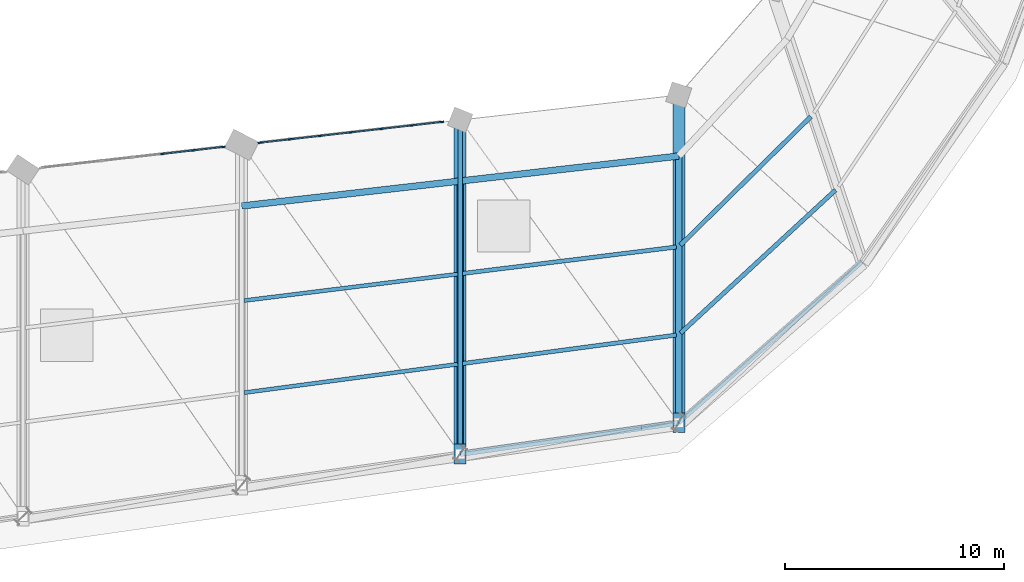
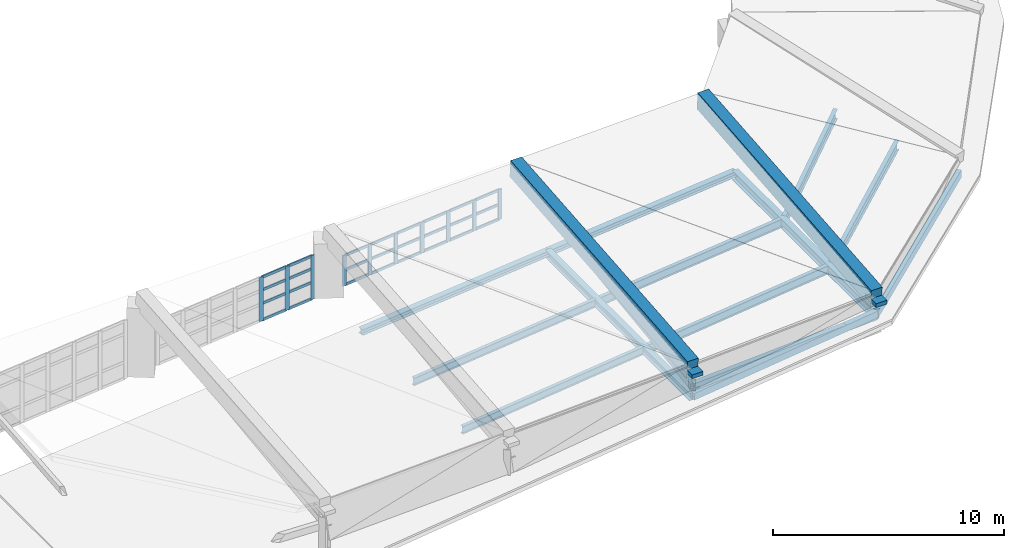
# One storey, part 26 of 67: 38 members, 16 beams, 2 elements without a shape of their own.
"""IFC4 building model written with IfcOpenShell, lengths in metres."""

from ifc_helpers import new_model, si_unit, direction, frame, origin, origin_2d, place, context, subcontext, project, spatial, rectangle, hollow_rectangle, i_section, extrude, material, layer, layer_set, material_profile, profile_set, type_object, element, aggregate, save


model = new_model("IFC4")

# Units and contexts
model_context = context("Model", 3, precision=1e-05, world=origin(), true_north=direction((0.0, 1.0)))
body_context = subcontext(model_context, "Body", "Model", "MODEL_VIEW")
ifc_project = project(units=[si_unit("LENGTHUNIT", "METRE"), si_unit("AREAUNIT", "SQUARE_METRE"), si_unit("VOLUMEUNIT", "CUBIC_METRE"), si_unit("PLANEANGLEUNIT", "RADIAN"), si_unit("MASSUNIT", "GRAM", prefix="KILO")], contexts=[model_context])

# Site, building, storey
site_placement = place(None, origin())
site = spatial("IfcSite", under=ifc_project, at=site_placement, CompositionType="ELEMENT")
building_placement = place(site_placement, origin())
building = spatial("IfcBuilding", under=site, at=building_placement, Name="Sohan Crest Arena", CompositionType="ELEMENT")
storey_placement = place(building_placement, frame((0.0, 0.0, 22.5)))
storey = spatial("IfcBuildingStorey", under=building, at=storey_placement, Name="L05", CompositionType="ELEMENT", Elevation=22.5)

# Curtain wall, members
ifc_material_1 = material(Name="Thermally broken anodised aluminium", Category="aluminium")
ifc_layer = layer(ifc_material_1, 0.18994140625, Name="Thermally broken anodised aluminium")
ifc_layer_set = layer_set([ifc_layer], Name="Thermally broken anodised aluminium")
curtain_wall_type = type_object("IfcCurtainWallType", Name="ARC-CW05", PredefinedType="NOTDEFINED", material=ifc_layer_set)
curtain_wall_1_placement = place(storey_placement, origin())
curtain_wall_1 = element("IfcCurtainWall", 1, at=curtain_wall_1_placement, inside=storey, type_object=curtain_wall_type, Name="Unitised curtain wall CW-193", PredefinedType="NOTDEFINED")
ifc_material_profile_1 = material_profile(ifc_material_1, rectangle(XDim=0.070068359375, YDim=0.199951171875, at=origin_2d()), Name="ALU-MULL 70x200")
ifc_profile_set_1 = profile_set([ifc_material_profile_1], Name="Thermally broken anodised aluminium")
member_type_1 = type_object("IfcMemberType", Name="ARC-CW-ML03", PredefinedType="MULLION", material=ifc_profile_set_1)
member_1_placement = place(storey_placement, frame((144.39501953125, 52.302001953125, 0.0), z_axis=(0.0, 0.0, 1.0), x_axis=(-0.11359680696, 0.993526932422, 0.0)))
member_1 = element("IfcMember", 2, at=member_1_placement, type_object=member_type_1, Name="CW-193 mullion 5", PredefinedType="MULLION", context=body_context, shape_type="SweptSolid", body=[
    extrude(rectangle(XDim=0.070068359375, YDim=0.199951171875, at=origin_2d()), origin(), (0.0, 0.0, 1.0), 2.31298828125),
])
member_2_placement = place(storey_placement, frame((145.7900390625, 52.46142578125, 0.0), z_axis=(0.0, 0.0, 1.0), x_axis=(-0.11359680696, 0.993526932422, 0.0)))
member_2 = element("IfcMember", 3, at=member_2_placement, type_object=member_type_1, Name="CW-193 mullion 6", PredefinedType="MULLION", context=body_context, shape_type="SweptSolid", body=[
    extrude(rectangle(XDim=0.070068359375, YDim=0.199951171875, at=origin_2d()), origin(), (0.0, 0.0, 1.0), 2.31298828125),
])
member_3_placement = place(storey_placement, frame((147.150146484375, 52.616943359375, 0.0), z_axis=(0.0, 0.0, 1.0), x_axis=(-0.11359680696, 0.993526932422, 0.0)))
member_3 = element("IfcMember", 4, at=member_3_placement, type_object=member_type_1, Name="CW-193 mullion 7", PredefinedType="MULLION", context=body_context, shape_type="SweptSolid", body=[
    extrude(rectangle(XDim=0.070068359375, YDim=0.199951171875, at=origin_2d()), origin(), (0.0, 0.0, 1.0), 2.31298828125),
])

curtain_wall_2_placement = place(storey_placement, origin())
curtain_wall_2 = element("IfcCurtainWall", 5, at=curtain_wall_2_placement, inside=storey, type_object=curtain_wall_type, Name="Unitised curtain wall CW-194", PredefinedType="NOTDEFINED")
member_4_placement = place(storey_placement, frame((148.849853515625, 52.81103515625, 0.0), z_axis=(0.0, 0.0, 1.0), x_axis=(-0.11359680696, 0.993526932422, 0.0)))
member_4 = element("IfcMember", 6, at=member_4_placement, type_object=member_type_1, Name="CW-194 mullion 1", PredefinedType="MULLION", context=body_context, shape_type="SweptSolid", body=[
    extrude(rectangle(XDim=0.070068359375, YDim=0.199951171875, at=origin_2d()), origin(), (0.0, 0.0, 1.0), 1.60302734375),
])
member_5_placement = place(storey_placement, frame((150.2099609375, 52.966552734375, 0.0), z_axis=(0.0, 0.0, 1.0), x_axis=(-0.11359680696, 0.993526932422, 0.0)))
member_5 = element("IfcMember", 7, at=member_5_placement, type_object=member_type_1, Name="CW-194 mullion 2", PredefinedType="MULLION", context=body_context, shape_type="SweptSolid", body=[
    extrude(rectangle(XDim=0.070068359375, YDim=0.199951171875, at=origin_2d()), origin(), (0.0, 0.0, 1.0), 1.60302734375),
])
member_6_placement = place(storey_placement, frame((151.60498046875, 53.1259765625, 0.0), z_axis=(0.0, 0.0, 1.0), x_axis=(-0.11359680696, 0.993526932422, 0.0)))
member_6 = element("IfcMember", 8, at=member_6_placement, type_object=member_type_1, Name="CW-194 mullion 3", PredefinedType="MULLION", context=body_context, shape_type="SweptSolid", body=[
    extrude(rectangle(XDim=0.070068359375, YDim=0.199951171875, at=origin_2d()), origin(), (0.0, 0.0, 1.0), 1.60302734375),
])
member_7_placement = place(storey_placement, frame((153.0, 53.285400390625, 0.0), z_axis=(0.0, 0.0, 1.0), x_axis=(-0.11359680696, 0.993526932422, 0.0)))
member_7 = element("IfcMember", 9, at=member_7_placement, type_object=member_type_1, Name="CW-194 mullion 4", PredefinedType="MULLION", context=body_context, shape_type="SweptSolid", body=[
    extrude(rectangle(XDim=0.070068359375, YDim=0.199951171875, at=origin_2d()), origin(), (0.0, 0.0, 1.0), 1.60302734375),
])
member_8_placement = place(storey_placement, frame((154.39501953125, 53.445068359375, 0.0), z_axis=(0.0, 0.0, 1.0), x_axis=(-0.11359680696, 0.993526932422, 0.0)))
member_8 = element("IfcMember", 10, at=member_8_placement, type_object=member_type_1, Name="CW-194 mullion 5", PredefinedType="MULLION", context=body_context, shape_type="SweptSolid", body=[
    extrude(rectangle(XDim=0.070068359375, YDim=0.199951171875, at=origin_2d()), origin(), (0.0, 0.0, 1.0), 1.60302734375),
])
member_9_placement = place(storey_placement, frame((155.7900390625, 53.6044921875, 0.0), z_axis=(0.0, 0.0, 1.0), x_axis=(-0.11359680696, 0.993526932422, 0.0)))
member_9 = element("IfcMember", 11, at=member_9_placement, type_object=member_type_1, Name="CW-194 mullion 6", PredefinedType="MULLION", context=body_context, shape_type="SweptSolid", body=[
    extrude(rectangle(XDim=0.070068359375, YDim=0.199951171875, at=origin_2d()), origin(), (0.0, 0.0, 1.0), 1.60302734375),
])
member_10_placement = place(storey_placement, frame((157.150146484375, 53.760009765625, 0.0), z_axis=(0.0, 0.0, 1.0), x_axis=(-0.11359680696, 0.993526932422, 0.0)))
member_10 = element("IfcMember", 12, at=member_10_placement, type_object=member_type_1, Name="CW-194 mullion 7", PredefinedType="MULLION", context=body_context, shape_type="SweptSolid", body=[
    extrude(rectangle(XDim=0.070068359375, YDim=0.199951171875, at=origin_2d()), origin(), (0.0, 0.0, 1.0), 1.60302734375),
])

# Member
ifc_material_profile_2 = material_profile(ifc_material_1, rectangle(XDim=0.06494140625, YDim=0.139892578125, at=origin_2d()), Name="ALU-TRAN 65x140")
ifc_profile_set_2 = profile_set([ifc_material_profile_2], Name="Thermally broken anodised aluminium")
member_type_2 = type_object("IfcMemberType", Name="ARC-CW-TR02", PredefinedType="USERDEFINED", material=ifc_profile_set_2)
member_11_placement = place(storey_placement, frame((144.4296875, 52.305908203125, 0.032470703125), z_axis=(0.993521460563, 0.113644654082, 0.0), x_axis=(-0.113644654082, 0.993521460563, 0.0)))
member_11 = element("IfcMember", 13, at=member_11_placement, type_object=member_type_2, Name="CW-193 transom 5.1", ObjectType="TRANSOM", PredefinedType="USERDEFINED", context=body_context, shape_type="SweptSolid", body=[
    extrude(rectangle(XDim=0.06494140625, YDim=0.139892578125, at=origin_2d()), origin(), (0.0, 0.0, 1.0), 1.333984375),
])

member_12_placement = place(storey_placement, frame((144.4296875, 52.305908203125, 0.89990234375), z_axis=(0.993521460563, 0.113644654082, 0.0), x_axis=(-0.113644654082, 0.993521460563, 0.0)))
member_12 = element("IfcMember", 14, at=member_12_placement, type_object=member_type_2, Name="CW-193 transom 5.2", ObjectType="TRANSOM", PredefinedType="USERDEFINED", context=body_context, shape_type="SweptSolid", body=[
    extrude(rectangle(XDim=0.06494140625, YDim=0.139892578125, at=origin_2d()), origin(), (0.0, 0.0, 1.0), 1.333984375),
])

member_13_placement = place(storey_placement, frame((144.4296875, 52.305908203125, 1.613037109375), z_axis=(0.993521460563, 0.113644654082, 0.0), x_axis=(-0.113644654082, 0.993521460563, 0.0)))
member_13 = element("IfcMember", 15, at=member_13_placement, type_object=member_type_2, Name="CW-193 transom 5.3", ObjectType="TRANSOM", PredefinedType="USERDEFINED", context=body_context, shape_type="SweptSolid", body=[
    extrude(rectangle(XDim=0.06494140625, YDim=0.139892578125, at=origin_2d()), origin(), (0.0, 0.0, 1.0), 1.333984375),
])

member_14_placement = place(storey_placement, frame((144.4296875, 52.305908203125, 2.280517578125), z_axis=(0.993521460563, 0.113644654082, 0.0), x_axis=(-0.113644654082, 0.993521460563, 0.0)))
member_14 = element("IfcMember", 16, at=member_14_placement, type_object=member_type_2, Name="CW-193 transom 5.4", ObjectType="TRANSOM", PredefinedType="USERDEFINED", context=body_context, shape_type="SweptSolid", body=[
    extrude(rectangle(XDim=0.06494140625, YDim=0.139892578125, at=origin_2d()), origin(), (0.0, 0.0, 1.0), 1.333984375),
])

member_15_placement = place(storey_placement, frame((145.82470703125, 52.465576171875, 0.032470703125), z_axis=(0.993537517414, 0.113504191511, 0.0), x_axis=(-0.113504191511, 0.993537517414, 0.0)))
member_15 = element("IfcMember", 17, at=member_15_placement, type_object=member_type_2, Name="CW-193 transom 6.1", ObjectType="TRANSOM", PredefinedType="USERDEFINED", context=body_context, shape_type="SweptSolid", body=[
    extrude(rectangle(XDim=0.06494140625, YDim=0.139892578125, at=origin_2d()), origin(), (0.0, 0.0, 1.0), 1.299072265625),
])

member_16_placement = place(storey_placement, frame((145.82470703125, 52.465576171875, 0.89990234375), z_axis=(0.993537517414, 0.113504191511, 0.0), x_axis=(-0.113504191511, 0.993537517414, 0.0)))
member_16 = element("IfcMember", 18, at=member_16_placement, type_object=member_type_2, Name="CW-193 transom 6.2", ObjectType="TRANSOM", PredefinedType="USERDEFINED", context=body_context, shape_type="SweptSolid", body=[
    extrude(rectangle(XDim=0.06494140625, YDim=0.139892578125, at=origin_2d()), origin(), (0.0, 0.0, 1.0), 1.299072265625),
])

member_17_placement = place(storey_placement, frame((145.82470703125, 52.465576171875, 1.613037109375), z_axis=(0.993537517414, 0.113504191511, 0.0), x_axis=(-0.113504191511, 0.993537517414, 0.0)))
member_17 = element("IfcMember", 19, at=member_17_placement, type_object=member_type_2, Name="CW-193 transom 6.3", ObjectType="TRANSOM", PredefinedType="USERDEFINED", context=body_context, shape_type="SweptSolid", body=[
    extrude(rectangle(XDim=0.06494140625, YDim=0.139892578125, at=origin_2d()), origin(), (0.0, 0.0, 1.0), 1.299072265625),
])

member_18_placement = place(storey_placement, frame((145.82470703125, 52.465576171875, 2.280517578125), z_axis=(0.993537517414, 0.113504191511, 0.0), x_axis=(-0.113504191511, 0.993537517414, 0.0)))
member_18 = element("IfcMember", 20, at=member_18_placement, type_object=member_type_2, Name="CW-193 transom 6.4", ObjectType="TRANSOM", PredefinedType="USERDEFINED", context=body_context, shape_type="SweptSolid", body=[
    extrude(rectangle(XDim=0.06494140625, YDim=0.139892578125, at=origin_2d()), origin(), (0.0, 0.0, 1.0), 1.299072265625),
])

aggregate(curtain_wall_1, [member_1, member_2, member_3, member_11, member_12, member_13, member_14, member_15, member_16, member_17, member_18])

member_19_placement = place(storey_placement, frame((148.884521484375, 52.81494140625, 0.032470703125), z_axis=(0.993537517414, 0.113504191511, 0.0), x_axis=(-0.113504191511, 0.993537517414, 0.0)))
member_19 = element("IfcMember", 21, at=member_19_placement, type_object=member_type_2, Name="CW-194 transom 1.1", ObjectType="TRANSOM", PredefinedType="USERDEFINED", context=body_context, shape_type="SweptSolid", body=[
    extrude(rectangle(XDim=0.06494140625, YDim=0.139892578125, at=origin_2d()), origin(), (0.0, 0.0, 1.0), 1.299072265625),
])

member_20_placement = place(storey_placement, frame((148.884521484375, 52.81494140625, 0.802001953125), z_axis=(0.993537517414, 0.113504191511, 0.0), x_axis=(-0.113504191511, 0.993537517414, 0.0)))
member_20 = element("IfcMember", 22, at=member_20_placement, type_object=member_type_2, Name="CW-194 transom 1.2", ObjectType="TRANSOM", PredefinedType="USERDEFINED", context=body_context, shape_type="SweptSolid", body=[
    extrude(rectangle(XDim=0.06494140625, YDim=0.139892578125, at=origin_2d()), origin(), (0.0, 0.0, 1.0), 1.299072265625),
])

member_21_placement = place(storey_placement, frame((148.884521484375, 52.81494140625, 1.570556640625), z_axis=(0.993537517414, 0.113504191511, 0.0), x_axis=(-0.113504191511, 0.993537517414, 0.0)))
member_21 = element("IfcMember", 23, at=member_21_placement, type_object=member_type_2, Name="CW-194 transom 1.3", ObjectType="TRANSOM", PredefinedType="USERDEFINED", context=body_context, shape_type="SweptSolid", body=[
    extrude(rectangle(XDim=0.06494140625, YDim=0.139892578125, at=origin_2d()), origin(), (0.0, 0.0, 1.0), 1.299072265625),
])

member_22_placement = place(storey_placement, frame((150.244873046875, 52.970458984375, 0.032470703125), z_axis=(0.993521460563, 0.113644654082, 0.0), x_axis=(-0.113644654082, 0.993521460563, 0.0)))
member_22 = element("IfcMember", 24, at=member_22_placement, type_object=member_type_2, Name="CW-194 transom 2.1", ObjectType="TRANSOM", PredefinedType="USERDEFINED", context=body_context, shape_type="SweptSolid", body=[
    extrude(rectangle(XDim=0.06494140625, YDim=0.139892578125, at=origin_2d()), origin(), (0.0, 0.0, 1.0), 1.333984375),
])

member_23_placement = place(storey_placement, frame((150.244873046875, 52.970458984375, 0.802001953125), z_axis=(0.993521460563, 0.113644654082, 0.0), x_axis=(-0.113644654082, 0.993521460563, 0.0)))
member_23 = element("IfcMember", 25, at=member_23_placement, type_object=member_type_2, Name="CW-194 transom 2.2", ObjectType="TRANSOM", PredefinedType="USERDEFINED", context=body_context, shape_type="SweptSolid", body=[
    extrude(rectangle(XDim=0.06494140625, YDim=0.139892578125, at=origin_2d()), origin(), (0.0, 0.0, 1.0), 1.333984375),
])

member_24_placement = place(storey_placement, frame((150.244873046875, 52.970458984375, 1.570556640625), z_axis=(0.993521460563, 0.113644654082, 0.0), x_axis=(-0.113644654082, 0.993521460563, 0.0)))
member_24 = element("IfcMember", 26, at=member_24_placement, type_object=member_type_2, Name="CW-194 transom 2.3", ObjectType="TRANSOM", PredefinedType="USERDEFINED", context=body_context, shape_type="SweptSolid", body=[
    extrude(rectangle(XDim=0.06494140625, YDim=0.139892578125, at=origin_2d()), origin(), (0.0, 0.0, 1.0), 1.333984375),
])

member_25_placement = place(storey_placement, frame((151.639892578125, 53.1298828125, 0.032470703125), z_axis=(0.993521460563, 0.113644654082, 0.0), x_axis=(-0.113644654082, 0.993521460563, 0.0)))
member_25 = element("IfcMember", 27, at=member_25_placement, type_object=member_type_2, Name="CW-194 transom 3.1", ObjectType="TRANSOM", PredefinedType="USERDEFINED", context=body_context, shape_type="SweptSolid", body=[
    extrude(rectangle(XDim=0.06494140625, YDim=0.139892578125, at=origin_2d()), origin(), (0.0, 0.0, 1.0), 1.333984375),
])

member_26_placement = place(storey_placement, frame((151.639892578125, 53.1298828125, 0.802001953125), z_axis=(0.993521460563, 0.113644654082, 0.0), x_axis=(-0.113644654082, 0.993521460563, 0.0)))
member_26 = element("IfcMember", 28, at=member_26_placement, type_object=member_type_2, Name="CW-194 transom 3.2", ObjectType="TRANSOM", PredefinedType="USERDEFINED", context=body_context, shape_type="SweptSolid", body=[
    extrude(rectangle(XDim=0.06494140625, YDim=0.139892578125, at=origin_2d()), origin(), (0.0, 0.0, 1.0), 1.333984375),
])

member_27_placement = place(storey_placement, frame((151.639892578125, 53.1298828125, 1.570556640625), z_axis=(0.993521460563, 0.113644654082, 0.0), x_axis=(-0.113644654082, 0.993521460563, 0.0)))
member_27 = element("IfcMember", 29, at=member_27_placement, type_object=member_type_2, Name="CW-194 transom 3.3", ObjectType="TRANSOM", PredefinedType="USERDEFINED", context=body_context, shape_type="SweptSolid", body=[
    extrude(rectangle(XDim=0.06494140625, YDim=0.139892578125, at=origin_2d()), origin(), (0.0, 0.0, 1.0), 1.333984375),
])

member_28_placement = place(storey_placement, frame((153.03466796875, 53.28955078125, 0.032470703125), z_axis=(0.993542107108, 0.113464009285, 0.0), x_axis=(-0.113464009285, 0.993542107108, 0.0)))
member_28 = element("IfcMember", 30, at=member_28_placement, type_object=member_type_2, Name="CW-194 transom 4.1", ObjectType="TRANSOM", PredefinedType="USERDEFINED", context=body_context, shape_type="SweptSolid", body=[
    extrude(rectangle(XDim=0.06494140625, YDim=0.139892578125, at=origin_2d()), origin(), (0.0, 0.0, 1.0), 1.333984375),
])

member_29_placement = place(storey_placement, frame((153.03466796875, 53.28955078125, 0.802001953125), z_axis=(0.993542107108, 0.113464009285, 0.0), x_axis=(-0.113464009285, 0.993542107108, 0.0)))
member_29 = element("IfcMember", 31, at=member_29_placement, type_object=member_type_2, Name="CW-194 transom 4.2", ObjectType="TRANSOM", PredefinedType="USERDEFINED", context=body_context, shape_type="SweptSolid", body=[
    extrude(rectangle(XDim=0.06494140625, YDim=0.139892578125, at=origin_2d()), origin(), (0.0, 0.0, 1.0), 1.333984375),
])

member_30_placement = place(storey_placement, frame((153.03466796875, 53.28955078125, 1.570556640625), z_axis=(0.993542107108, 0.113464009285, 0.0), x_axis=(-0.113464009285, 0.993542107108, 0.0)))
member_30 = element("IfcMember", 32, at=member_30_placement, type_object=member_type_2, Name="CW-194 transom 4.3", ObjectType="TRANSOM", PredefinedType="USERDEFINED", context=body_context, shape_type="SweptSolid", body=[
    extrude(rectangle(XDim=0.06494140625, YDim=0.139892578125, at=origin_2d()), origin(), (0.0, 0.0, 1.0), 1.333984375),
])

member_31_placement = place(storey_placement, frame((154.4296875, 53.448974609375, 0.032470703125), z_axis=(0.993521460563, 0.113644654082, 0.0), x_axis=(-0.113644654082, 0.993521460563, 0.0)))
member_31 = element("IfcMember", 33, at=member_31_placement, type_object=member_type_2, Name="CW-194 transom 5.1", ObjectType="TRANSOM", PredefinedType="USERDEFINED", context=body_context, shape_type="SweptSolid", body=[
    extrude(rectangle(XDim=0.06494140625, YDim=0.139892578125, at=origin_2d()), origin(), (0.0, 0.0, 1.0), 1.333984375),
])

member_32_placement = place(storey_placement, frame((154.4296875, 53.448974609375, 0.802001953125), z_axis=(0.993521460563, 0.113644654082, 0.0), x_axis=(-0.113644654082, 0.993521460563, 0.0)))
member_32 = element("IfcMember", 34, at=member_32_placement, type_object=member_type_2, Name="CW-194 transom 5.2", ObjectType="TRANSOM", PredefinedType="USERDEFINED", context=body_context, shape_type="SweptSolid", body=[
    extrude(rectangle(XDim=0.06494140625, YDim=0.139892578125, at=origin_2d()), origin(), (0.0, 0.0, 1.0), 1.333984375),
])

member_33_placement = place(storey_placement, frame((154.4296875, 53.448974609375, 1.570556640625), z_axis=(0.993521460563, 0.113644654082, 0.0), x_axis=(-0.113644654082, 0.993521460563, 0.0)))
member_33 = element("IfcMember", 35, at=member_33_placement, type_object=member_type_2, Name="CW-194 transom 5.3", ObjectType="TRANSOM", PredefinedType="USERDEFINED", context=body_context, shape_type="SweptSolid", body=[
    extrude(rectangle(XDim=0.06494140625, YDim=0.139892578125, at=origin_2d()), origin(), (0.0, 0.0, 1.0), 1.333984375),
])

member_34_placement = place(storey_placement, frame((155.82470703125, 53.6083984375, 0.032470703125), z_axis=(0.99351630859, 0.113689685398, 0.0), x_axis=(-0.113689685398, 0.99351630859, 0.0)))
member_34 = element("IfcMember", 36, at=member_34_placement, type_object=member_type_2, Name="CW-194 transom 6.1", ObjectType="TRANSOM", PredefinedType="USERDEFINED", context=body_context, shape_type="SweptSolid", body=[
    extrude(rectangle(XDim=0.06494140625, YDim=0.139892578125, at=origin_2d()), origin(), (0.0, 0.0, 1.0), 1.29931640625),
])

member_35_placement = place(storey_placement, frame((155.82470703125, 53.6083984375, 0.802001953125), z_axis=(0.99351630859, 0.113689685398, 0.0), x_axis=(-0.113689685398, 0.99351630859, 0.0)))
member_35 = element("IfcMember", 37, at=member_35_placement, type_object=member_type_2, Name="CW-194 transom 6.2", ObjectType="TRANSOM", PredefinedType="USERDEFINED", context=body_context, shape_type="SweptSolid", body=[
    extrude(rectangle(XDim=0.06494140625, YDim=0.139892578125, at=origin_2d()), origin(), (0.0, 0.0, 1.0), 1.29931640625),
])

member_36_placement = place(storey_placement, frame((155.82470703125, 53.6083984375, 1.570556640625), z_axis=(0.99351630859, 0.113689685398, 0.0), x_axis=(-0.113689685398, 0.99351630859, 0.0)))
member_36 = element("IfcMember", 38, at=member_36_placement, type_object=member_type_2, Name="CW-194 transom 6.3", ObjectType="TRANSOM", PredefinedType="USERDEFINED", context=body_context, shape_type="SweptSolid", body=[
    extrude(rectangle(XDim=0.06494140625, YDim=0.139892578125, at=origin_2d()), origin(), (0.0, 0.0, 1.0), 1.29931640625),
])

aggregate(curtain_wall_2, [member_4, member_5, member_6, member_7, member_8, member_9, member_10, member_19, member_20, member_21, member_22, member_23, member_24, member_25, member_26, member_27, member_28, member_29, member_30, member_31, member_32, member_33, member_34, member_35, member_36])

# Beams
ifc_material_2 = material(Name="Steel S355", Category="steel")
ifc_material_profile_3 = material_profile(ifc_material_2, i_section(OverallWidth=0.179931640625, OverallDepth=0.39990234375, WebThickness=0.008544921875, FlangeThickness=0.013427734375, at=origin_2d()), Name="IPE 400")
ifc_profile_set_3 = profile_set([ifc_material_profile_3], Name="Steel S355")
beam_type_1 = type_object("IfcBeamType", Name="STR-BM-B03", PredefinedType="JOIST", material=ifc_profile_set_3)
beam_1_placement = place(storey_placement, frame((148.10888671875, 45.5859375, -0.419921875), z_axis=(0.992409914467, 0.122973825131, 0.0), x_axis=(-0.122973825131, 0.992409914467, 0.0)))
element("IfcBeam", 39, at=beam_1_placement, inside=storey, type_object=beam_type_1, Name="Structural beam J-L05-1784", PredefinedType="JOIST", context=body_context, shape_type="SweptSolid", body=[
    extrude(i_section(OverallWidth=0.179931640625, OverallDepth=0.39990234375, WebThickness=0.008544921875, FlangeThickness=0.013427734375, at=origin_2d()), origin(), (0.0, 0.0, 1.0), 9.85693359375),
])
beam_2_placement = place(storey_placement, frame((148.10888671875, 41.3720703125, -0.419921875), z_axis=(0.991232437337, 0.132129690721, 0.0), x_axis=(-0.132129690721, 0.991232437337, 0.0)))
element("IfcBeam", 40, at=beam_2_placement, inside=storey, type_object=beam_type_1, Name="Structural beam J-L05-1785", PredefinedType="JOIST", context=body_context, shape_type="SweptSolid", body=[
    extrude(i_section(OverallWidth=0.179931640625, OverallDepth=0.39990234375, WebThickness=0.008544921875, FlangeThickness=0.013427734375, at=origin_2d()), origin(), (0.0, 0.0, 1.0), 9.86865234375),
])
ifc_material_profile_4 = material_profile(ifc_material_2, i_section(OverallWidth=0.18994140625, OverallDepth=0.449951171875, WebThickness=0.009521484375, FlangeThickness=0.0146484375, at=origin_2d()), Name="IPE 450")
ifc_profile_set_4 = profile_set([ifc_material_profile_4], Name="Steel S355")
beam_type_2 = type_object("IfcBeamType", Name="STR-BM-B04", PredefinedType="JOIST", material=ifc_profile_set_4)
beam_3_placement = place(storey_placement, frame((158.10888671875, 46.825927734375, -0.445068359375), z_axis=(0.992409914467, 0.122973825131, 0.0), x_axis=(-0.122973825131, 0.992409914467, 0.0)))
element("IfcBeam", 41, at=beam_3_placement, inside=storey, type_object=beam_type_2, Name="Structural beam J-L05-1789", PredefinedType="JOIST", context=body_context, shape_type="SweptSolid", body=[
    extrude(i_section(OverallWidth=0.18994140625, OverallDepth=0.449951171875, WebThickness=0.009521484375, FlangeThickness=0.0146484375, at=origin_2d()), origin(), (0.0, 0.0, 1.0), 9.85693359375),
])
beam_4_placement = place(storey_placement, frame((158.10888671875, 42.7060546875, -0.445068359375), z_axis=(0.991219472477, 0.132226916252, 0.0), x_axis=(-0.132226916252, 0.991219472477, 0.0)))
element("IfcBeam", 42, at=beam_4_placement, inside=storey, type_object=beam_type_2, Name="Structural beam J-L05-1790", PredefinedType="JOIST", context=body_context, shape_type="SweptSolid", body=[
    extrude(i_section(OverallWidth=0.18994140625, OverallDepth=0.449951171875, WebThickness=0.009521484375, FlangeThickness=0.0146484375, at=origin_2d()), origin(), (0.0, 0.0, 1.0), 9.868896484375),
])
ifc_material_profile_5 = material_profile(ifc_material_2, i_section(OverallWidth=0.199951171875, OverallDepth=0.5, WebThickness=0.01025390625, FlangeThickness=0.01611328125, at=origin_2d()), Name="IPE 500")
ifc_profile_set_5 = profile_set([ifc_material_profile_5], Name="Steel S355")
beam_type_3 = type_object("IfcBeamType", Name="STR-BM-B05", PredefinedType="JOIST", material=ifc_profile_set_5)
beam_5_placement = place(storey_placement, frame((168.077880859375, 48.12890625, -0.469970703125), z_axis=(0.712580271708, 0.701590590283, 0.0), x_axis=(-0.701590590283, 0.712580271708, 0.0)))
element("IfcBeam", 43, at=beam_5_placement, inside=storey, type_object=beam_type_3, Name="Structural beam J-L05-1794", PredefinedType="JOIST", context=body_context, shape_type="SweptSolid", body=[
    extrude(i_section(OverallWidth=0.199951171875, OverallDepth=0.5, WebThickness=0.01025390625, FlangeThickness=0.01611328125, at=origin_2d()), origin(), (0.0, 0.0, 1.0), 8.375244140625),
])
beam_6_placement = place(storey_placement, frame((168.0810546875, 44.10107421875, -0.469970703125), z_axis=(0.735036224245, 0.678027837959, 0.0), x_axis=(-0.678027837959, 0.735036224245, 0.0)))
element("IfcBeam", 44, at=beam_6_placement, inside=storey, type_object=beam_type_3, Name="Structural beam J-L05-1795", PredefinedType="JOIST", context=body_context, shape_type="SweptSolid", body=[
    extrude(i_section(OverallWidth=0.199951171875, OverallDepth=0.5, WebThickness=0.01025390625, FlangeThickness=0.01611328125, at=origin_2d()), origin(), (0.0, 0.0, 1.0), 9.648681640625),
])
ifc_material_profile_6 = material_profile(ifc_material_2, i_section(OverallWidth=0.300048828125, OverallDepth=0.300048828125, WebThickness=0.010986328125, FlangeThickness=0.01904296875, at=origin_2d()), Name="HEB 300")
ifc_profile_set_6 = profile_set([ifc_material_profile_6], Name="Steel S355")
beam_type_4 = type_object("IfcBeamType", Name="STR-BM-B12", PredefinedType="BEAM", material=ifc_profile_set_6)
for number, where, z_axis, x_axis, name in (
    (45, (148.0, 49.9140625, -0.3701171875), (0.993533063564, 0.113543170668, 0.0), (-0.113543170668, 0.993533063564, 0.0), "Structural beam G-L05-1782"),
    (46, (158.0, 51.056884765625, -0.3701171875), (0.99353032697, 0.113567114035, 0.0), (-0.113567114035, 0.99353032697, 0.0), "Structural beam G-L05-1787"),
):
    element("IfcBeam", number, at=place(storey_placement, frame(where, z_axis=z_axis, x_axis=x_axis)), inside=storey, type_object=beam_type_4, Name=name, PredefinedType="BEAM", context=body_context, shape_type="SweptSolid", body=[
        extrude(i_section(OverallWidth=0.300048828125, OverallDepth=0.300048828125, WebThickness=0.010986328125, FlangeThickness=0.01904296875, at=origin_2d()), origin(), (0.0, 0.0, 1.0), 10.065185546875),
    ])
ifc_material_profile_7 = material_profile(ifc_material_2, i_section(OverallWidth=0.300048828125, OverallDepth=0.39990234375, WebThickness=0.013427734375, FlangeThickness=0.02392578125, at=origin_2d()), Name="HEB 400")
ifc_profile_set_7 = profile_set([ifc_material_profile_7], Name="Steel S355")
beam_type_5 = type_object("IfcBeamType", Name="STR-BM-B13", PredefinedType="BEAM", material=ifc_profile_set_7)
beam_7_placement = place(storey_placement, frame((158.0, 51.056884765625, -0.419921875), z_axis=(0.0, -1.0, 0.0), x_axis=(1.0, 0.0, 0.0)))
element("IfcBeam", 47, at=beam_7_placement, inside=storey, type_object=beam_type_5, Name="Structural beam G-L05-1786", PredefinedType="BEAM", context=body_context, shape_type="SweptSolid", body=[
    extrude(i_section(OverallWidth=0.300048828125, OverallDepth=0.39990234375, WebThickness=0.013427734375, FlangeThickness=0.02392578125, at=origin_2d()), origin(), (0.0, 0.0, 1.0), 12.48583984375),
])
ifc_material_profile_8 = material_profile(ifc_material_2, i_section(OverallWidth=0.300048828125, OverallDepth=0.5, WebThickness=0.014404296875, FlangeThickness=0.028076171875, at=origin_2d()), Name="HEB 500")
ifc_profile_set_8 = profile_set([ifc_material_profile_8], Name="Steel S355")
beam_type_6 = type_object("IfcBeamType", Name="STR-BM-B14", PredefinedType="BEAM", material=ifc_profile_set_8)
beam_8_placement = place(storey_placement, frame((168.0, 52.199951171875, -0.469970703125), z_axis=(0.0, -1.0, 0.0), x_axis=(1.0, 0.0, 0.0)))
element("IfcBeam", 48, at=beam_8_placement, inside=storey, type_object=beam_type_6, Name="Structural beam G-L05-1791", PredefinedType="BEAM", context=body_context, shape_type="SweptSolid", body=[
    extrude(i_section(OverallWidth=0.300048828125, OverallDepth=0.5, WebThickness=0.014404296875, FlangeThickness=0.028076171875, at=origin_2d()), origin(), (0.0, 0.0, 1.0), 12.199951171875),
])
ifc_material_3 = material(Name="Precast concrete C50/60", Category="concrete")
ifc_material_profile_9 = material_profile(ifc_material_3, rectangle(XDim=0.550048828125, YDim=0.89990234375, at=origin_2d()), Name="RAKER 550x900")
ifc_profile_set_9 = profile_set([ifc_material_profile_9], Name="Precast concrete C50/60")
beam_type_7 = type_object("IfcBeamType", Name="STR-BM-RK01", PredefinedType="USERDEFINED", material=ifc_profile_set_9)
beam_9_placement = place(storey_placement, frame((158.0, 53.85693359375, 2.41796875), z_axis=(0.0, -0.996123579198, -0.087964850735), x_axis=(1.0, 0.0, 0.0)))
element("IfcBeam", 49, at=beam_9_placement, inside=storey, type_object=beam_type_7, Name="Perimeter radial apron raker RKB-19", ObjectType="RAKER", PredefinedType="USERDEFINED", context=body_context, shape_type="SweptSolid", body=[
    extrude(rectangle(XDim=0.550048828125, YDim=0.89990234375, at=origin_2d()), origin(), (0.0, 0.0, 1.0), 15.345458984375),
])
beam_10_placement = place(storey_placement, frame((158.0, 38.571044921875, 1.068115234375), z_axis=(0.0, 0.0, -1.0), x_axis=(1.0, 0.0, 0.0)))
element("IfcBeam", 50, at=beam_10_placement, inside=storey, type_object=beam_type_7, Name="Perimeter cantilever nose bracket RKC-19", ObjectType="RAKER", PredefinedType="USERDEFINED", context=body_context, shape_type="SweptSolid", body=[
    extrude(rectangle(XDim=0.550048828125, YDim=0.89990234375, at=origin_2d()), origin(), (0.0, 0.0, 1.0), 0.2001953125),
])
beam_11_placement = place(storey_placement, frame((168.0, 55.0, 1.799072265625), z_axis=(0.0, -0.995973859933, -0.089644131599), x_axis=(1.0, 0.0, 0.0)))
element("IfcBeam", 51, at=beam_11_placement, inside=storey, type_object=beam_type_7, Name="Perimeter radial apron raker RKB-20", ObjectType="RAKER", PredefinedType="USERDEFINED", context=body_context, shape_type="SweptSolid", body=[
    extrude(rectangle(XDim=0.550048828125, YDim=0.89990234375, at=origin_2d()), origin(), (0.0, 0.0, 1.0), 15.060546875),
])
beam_12_placement = place(storey_placement, frame((168.0, 40.0, 0.448974609375), z_axis=(0.0, 0.0, -1.0), x_axis=(1.0, 0.0, 0.0)))
element("IfcBeam", 52, at=beam_12_placement, inside=storey, type_object=beam_type_7, Name="Perimeter cantilever nose bracket RKC-20", ObjectType="RAKER", PredefinedType="USERDEFINED", context=body_context, shape_type="SweptSolid", body=[
    extrude(rectangle(XDim=0.550048828125, YDim=0.89990234375, at=origin_2d()), origin(), (0.0, 0.0, 1.0), 0.199951171875),
])
ifc_material_profile_10 = material_profile(ifc_material_2, hollow_rectangle(XDim=0.25, YDim=0.35009765625, WallThickness=0.012451171875, at=origin_2d()), Name="RHS 350x250x12.5")
ifc_profile_set_10 = profile_set([ifc_material_profile_10], Name="Steel S355")
beam_type_8 = type_object("IfcBeamType", Name="STR-BM-SP04", PredefinedType="SPANDREL", material=ifc_profile_set_10)
beam_13_placement = place(storey_placement, frame((158.0, 38.571044921875, -0.39501953125), z_axis=(0.989944175879, 0.141458575718, 0.0), x_axis=(-0.141458575718, 0.989944175879, 0.0)))
element("IfcBeam", 53, at=beam_13_placement, inside=storey, type_object=beam_type_8, Name="Structural beam SP-L05-1788", PredefinedType="SPANDREL", context=body_context, shape_type="SweptSolid", body=[
    extrude(hollow_rectangle(XDim=0.25, YDim=0.35009765625, WallThickness=0.012451171875, at=origin_2d()), origin(), (0.0, 0.0, 1.0), 10.1015625),
])
ifc_material_profile_11 = material_profile(ifc_material_2, hollow_rectangle(XDim=0.199951171875, YDim=0.39990234375, WallThickness=0.012451171875, at=origin_2d()), Name="RHS 400x200x12.5")
ifc_profile_set_11 = profile_set([ifc_material_profile_11], Name="Steel S355")
beam_type_9 = type_object("IfcBeamType", Name="STR-BM-SP05", PredefinedType="SPANDREL", material=ifc_profile_set_11)
beam_14_placement = place(storey_placement, frame((168.0, 40.0, -0.419921875), z_axis=(0.751695897988, 0.659509876308, 0.0), x_axis=(-0.659509876308, 0.751695897988, 0.0)))
element("IfcBeam", 54, at=beam_14_placement, inside=storey, type_object=beam_type_9, Name="Structural beam SP-L05-1793", PredefinedType="SPANDREL", context=body_context, shape_type="SweptSolid", body=[
    extrude(hollow_rectangle(XDim=0.199951171875, YDim=0.39990234375, WallThickness=0.012451171875, at=origin_2d()), origin(), (0.0, 0.0, 1.0), 11.152099609375),
])

# Members
ifc_material_profile_12 = material_profile(ifc_material_2, hollow_rectangle(XDim=0.199951171875, YDim=0.300048828125, WallThickness=0.010009765625, at=origin_2d()), Name="RHS 300x200x10")
ifc_profile_set_12 = profile_set([ifc_material_profile_12], Name="Steel S355")
member_type_3 = type_object("IfcMemberType", Name="STR-MEM-CH03", PredefinedType="CHORD", material=ifc_profile_set_12)
member_37_placement = place(storey_placement, frame((158.0, 53.85693359375, 2.16796875), z_axis=(0.0, -0.991126270242, -0.132923724126), x_axis=(1.0, 0.0, 0.0)))
element("IfcMember", 55, at=member_37_placement, inside=storey, type_object=member_type_3, Name="Outer roof-edge radial tie chord ORT-19", PredefinedType="CHORD", context=body_context, shape_type="SweptSolid", body=[
    extrude(hollow_rectangle(XDim=0.199951171875, YDim=0.300048828125, WallThickness=0.010009765625, at=origin_2d()), origin(), (0.0, 0.0, 1.0), 15.4228515625),
])
ifc_material_profile_13 = material_profile(ifc_material_2, hollow_rectangle(XDim=0.25, YDim=0.35009765625, WallThickness=0.012451171875, at=origin_2d()), Name="RHS 350x250x12.5")
ifc_profile_set_13 = profile_set([ifc_material_profile_13], Name="Steel S355")
member_type_4 = type_object("IfcMemberType", Name="STR-MEM-CH04", PredefinedType="CHORD", material=ifc_profile_set_13)
member_38_placement = place(storey_placement, frame((158.0, 38.571044921875, 0.117919921875), z_axis=(0.988091422574, 0.141193825594, -0.061152630767), x_axis=(-0.141458575718, 0.989944175879, 0.0)))
element("IfcMember", 56, at=member_38_placement, inside=storey, type_object=member_type_4, Name="Outer roof-edge truss chord ORB-19", PredefinedType="CHORD", context=body_context, shape_type="SweptSolid", body=[
    extrude(hollow_rectangle(XDim=0.25, YDim=0.35009765625, WallThickness=0.012451171875, at=origin_2d()), origin(), (0.0, 0.0, 1.0), 10.12060546875),
])

save(model, "model.ifc")
